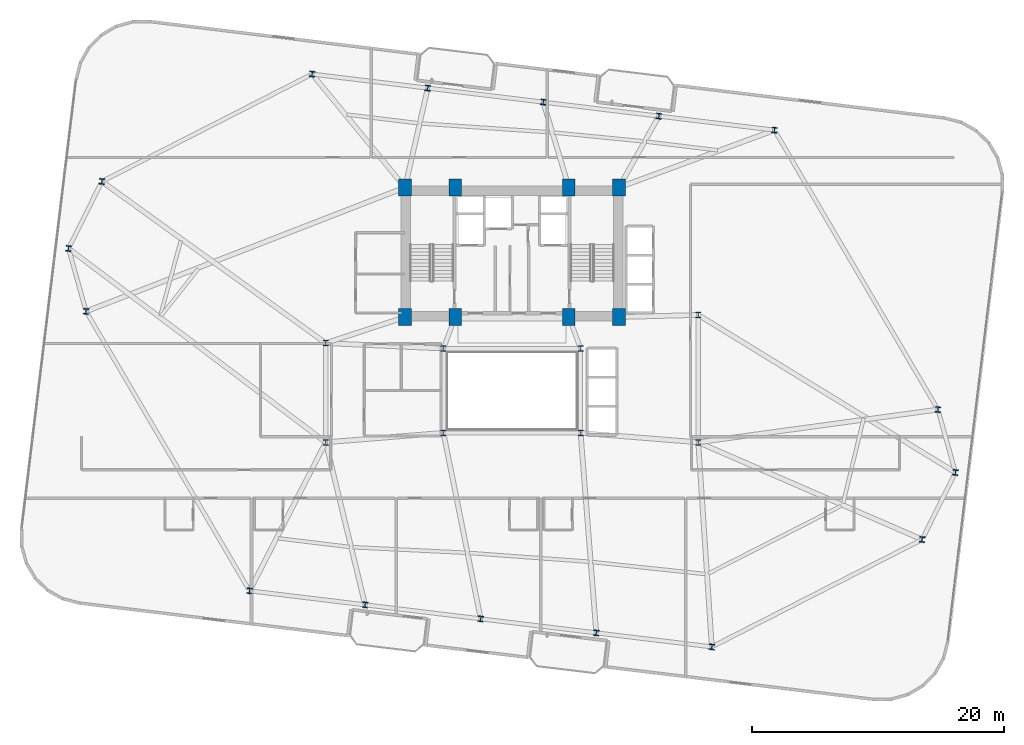
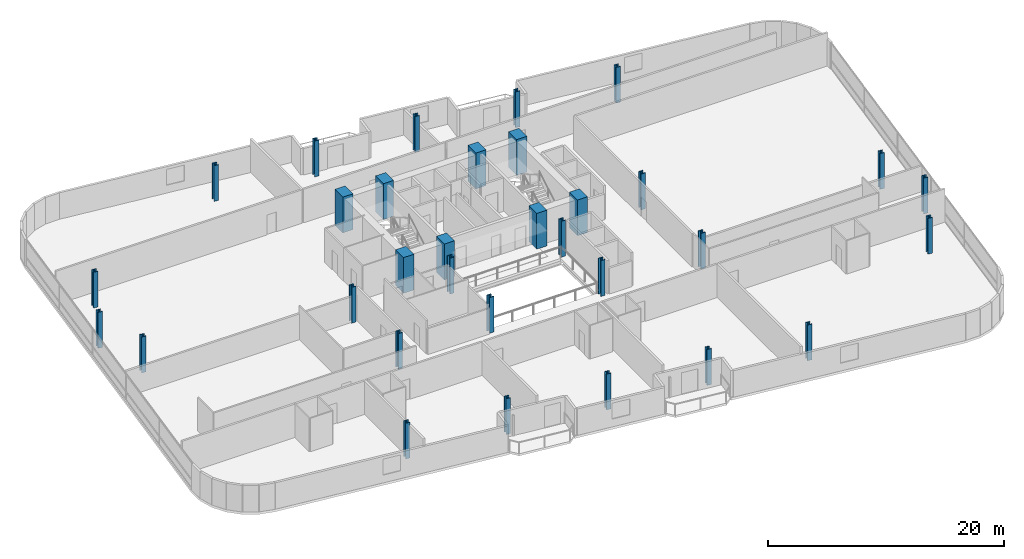
# One storey, part 1 of 25: 32 columns.
"""IFC4 building model written with IfcOpenShell, lengths in metres."""

from ifc_helpers import new_model, si_unit, direction, frame, origin, origin_2d, place, context, subcontext, project, spatial, rectangle, i_section, extrude, material, material_profile, profile_set, type_object, element, save


model = new_model("IFC4")

# Units and contexts
model_context = context("Model", 3, precision=1e-05, world=origin(), true_north=direction((0.0, 1.0)))
body_context = subcontext(model_context, "Body", "Model", "MODEL_VIEW")
ifc_project = project(units=[si_unit("LENGTHUNIT", "METRE"), si_unit("AREAUNIT", "SQUARE_METRE"), si_unit("VOLUMEUNIT", "CUBIC_METRE"), si_unit("PLANEANGLEUNIT", "RADIAN"), si_unit("MASSUNIT", "GRAM", prefix="KILO")], contexts=[model_context])

# Site, building, storey
site_placement = place(None, origin())
site = spatial("IfcSite", under=ifc_project, at=site_placement, CompositionType="ELEMENT")
building_placement = place(site_placement, origin())
building = spatial("IfcBuilding", under=site, at=building_placement, Name="Varnelok Gate Tower", CompositionType="ELEMENT")
storey_placement = place(building_placement, frame((0.0, 0.0, 140.199951171875)))
storey = spatial("IfcBuildingStorey", under=building, at=storey_placement, Name="L35", CompositionType="ELEMENT", Elevation=140.199951171875)

# Columns
ifc_material_1 = material(Name="Concrete C70/85", Category="concrete")
ifc_material_profile_1 = material_profile(ifc_material_1, rectangle(XDim=1.0, YDim=1.35009765625, at=origin_2d()), Name="RC1350X1000")
ifc_profile_set_1 = profile_set([ifc_material_profile_1], Name="Concrete C70/85")
column_type_1 = type_object("IfcColumnType", Name="COL-RC1350X1000", PredefinedType="COLUMN", material=ifc_profile_set_1)
for number, where, z_axis, x_axis, name in (
    (1, (30.699951171875, 28.75, 0.0), (0.0, 0.0, 1.0), (1.0, 0.0, 0.0), "L35 Core Spine Column SC1"),
    (2, (34.679931640625, 28.75, 0.0), (0.0, 0.0, 1.0), (1.0, 0.0, 0.0), "L35 Core Spine Column SC2"),
    (3, (43.719970703125, 28.75, 0.0), (0.0, 0.0, 1.0), (1.0, 0.0, 0.0), "L35 Core Spine Column SC3"),
    (4, (47.699951171875, 28.75, 0.0), (0.0, 0.0, 1.0), (1.0, 0.0, 0.0), "L35 Core Spine Column SC4"),
    (5, (30.699951171875, 39.050048828125, 0.0), (0.0, 0.0, 1.0), (1.0, 0.0, 0.0), "L35 Core Spine Column SC5"),
    (6, (34.679931640625, 39.050048828125, 0.0), (0.0, 0.0, 1.0), (1.0, 0.0, 0.0), "L35 Core Spine Column SC6"),
    (7, (43.719970703125, 39.050048828125, 0.0), (0.0, 0.0, 1.0), (1.0, 0.0, 0.0), "L35 Core Spine Column SC7"),
    (8, (47.699951171875, 39.050048828125, 0.0), (0.0, 0.0, 1.0), (1.0, 0.0, 0.0), "L35 Core Spine Column SC8"),
):
    element("IfcColumn", number, at=place(storey_placement, frame(where, z_axis=z_axis, x_axis=x_axis)), inside=storey, type_object=column_type_1, Name=name, PredefinedType="COLUMN", context=body_context, shape_type="SweptSolid", body=[
        extrude(rectangle(XDim=1.0, YDim=1.35009765625, at=origin_2d()), origin(), (0.0, 0.0, 1.0), 3.699951171875),
    ])
ifc_material_2 = material(Name="Structural Steel ASTM A992 Grade 50", Category="steel")
ifc_material_profile_2 = material_profile(ifc_material_2, i_section(OverallWidth=0.41796875, OverallDepth=0.455078125, WebThickness=0.0419921875, FlangeThickness=0.067626953125, FilletRadius=0.02490234375, at=origin_2d()), Name="W14X370")
ifc_profile_set_2 = profile_set([ifc_material_profile_2], Name="Structural Steel ASTM A992 Grade 50")
column_type_2 = type_object("IfcColumnType", Name="COL-W14X370", PredefinedType="COLUMN", material=ifc_profile_set_2)
for number, where, z_axis, x_axis, name in (
    (9, (18.345703125, 6.99658203125, 0.0), (0.0, 0.0, 1.0), (0.992732158755, -0.12034475881, 0.0), "L35 B3 Perimeter Column PC01"),
    (10, (27.528564453125, 5.883544921875, 0.0), (0.0, 0.0, 1.0), (0.992732158755, -0.12034475881, 0.0), "L35 B3 Perimeter Column PC02"),
    (11, (36.711181640625, 4.770263671875, 0.0), (0.0, 0.0, 1.0), (0.992732158755, -0.12034475881, 0.0), "L35 B3 Perimeter Column PC03"),
    (12, (45.89404296875, 3.656982421875, 0.0), (0.0, 0.0, 1.0), (0.992732158755, -0.12034475881, 0.0), "L35 B3 Perimeter Column PC04"),
    (13, (55.076904296875, 2.5439453125, 0.0), (0.0, 0.0, 1.0), (0.992732158755, -0.12034475881, 0.0), "L35 B3 Perimeter Column PC05"),
    (14, (71.79296875, 11.07421875, 0.0), (0.0, 0.0, 1.0), (0.992732158755, -0.12034475881, 0.0), "L35 B3 Perimeter Column PC06"),
    (15, (74.435546875, 16.40478515625, 0.0), (0.0, 0.0, 1.0), (0.992732158755, -0.12034475881, 0.0), "L35 B3 Perimeter Column PC07"),
    (16, (73.04443359375, 21.398681640625, 0.0), (0.0, 0.0, 1.0), (0.992732158755, -0.12034475881, 0.0), "L35 B3 Perimeter Column PC08"),
    (17, (60.05419921875, 43.603271484375, 0.0), (0.0, 0.0, 1.0), (0.992732158755, -0.12034475881, 0.0), "L35 B3 Perimeter Column PC09"),
    (18, (50.87158203125, 44.716552734375, 0.0), (0.0, 0.0, 1.0), (0.992732158755, -0.12034475881, 0.0), "L35 B3 Perimeter Column PC10"),
    (19, (41.688720703125, 45.82958984375, 0.0), (0.0, 0.0, 1.0), (0.992732158755, -0.12034475881, 0.0), "L35 B3 Perimeter Column PC11"),
    (20, (32.506103515625, 46.94287109375, 0.0), (0.0, 0.0, 1.0), (0.992732158755, -0.12034475881, 0.0), "L35 B3 Perimeter Column PC12"),
    (21, (23.3232421875, 48.05615234375, 0.0), (0.0, 0.0, 1.0), (0.992732158755, -0.12034475881, 0.0), "L35 B3 Perimeter Column PC13"),
    (22, (6.607177734375, 39.52587890625, 0.0), (0.0, 0.0, 1.0), (0.992732158755, -0.12034475881, 0.0), "L35 B3 Perimeter Column PC14"),
    (23, (3.96435546875, 34.195068359375, 0.0), (0.0, 0.0, 1.0), (0.992732158755, -0.12034475881, 0.0), "L35 B3 Perimeter Column PC15"),
    (24, (5.35546875, 29.201416015625, 0.0), (0.0, 0.0, 1.0), (0.992732158755, -0.12034475881, 0.0), "L35 B3 Perimeter Column PC16"),
):
    element("IfcColumn", number, at=place(storey_placement, frame(where, z_axis=z_axis, x_axis=x_axis)), inside=storey, type_object=column_type_2, Name=name, PredefinedType="COLUMN", context=body_context, shape_type="SweptSolid", body=[
        extrude(i_section(OverallWidth=0.41796875, OverallDepth=0.455078125, WebThickness=0.0419921875, FlangeThickness=0.067626953125, FilletRadius=0.02490234375, at=origin_2d()), origin(), (0.0, 0.0, 1.0), 3.699951171875),
    ])
ifc_material_profile_3 = material_profile(ifc_material_2, i_section(OverallWidth=0.424072265625, OverallDepth=0.47412109375, WebThickness=0.047607421875, FlangeThickness=0.0771484375, FilletRadius=0.02490234375, at=origin_2d()), Name="W14X426")
ifc_profile_set_3 = profile_set([ifc_material_profile_3], Name="Structural Steel ASTM A992 Grade 50")
column_type_3 = type_object("IfcColumnType", Name="COL-W14X426", PredefinedType="COLUMN", material=ifc_profile_set_3)
for number, where, z_axis, x_axis, name in (
    (25, (33.75, 19.550048828125, 0.0), (0.0, 0.0, 1.0), (1.0, 0.0, 0.0), "L35 Atrium Spine Column AC1"),
    (26, (44.64990234375, 19.550048828125, 0.0), (0.0, 0.0, 1.0), (1.0, 0.0, 0.0), "L35 Atrium Spine Column AC2"),
    (27, (33.75, 26.25, 0.0), (0.0, 0.0, 1.0), (1.0, 0.0, 0.0), "L35 Atrium Spine Column AC3"),
    (28, (44.64990234375, 26.25, 0.0), (0.0, 0.0, 1.0), (1.0, 0.0, 0.0), "L35 Atrium Spine Column AC4"),
    (29, (24.39990234375, 18.800048828125, 0.0), (0.0, 0.0, 1.0), (1.0, 0.0, 0.0), "L35 Wing Spine Column WS1"),
    (30, (24.39990234375, 26.679931640625, 0.0), (0.0, 0.0, 1.0), (1.0, 0.0, 0.0), "L35 Wing Spine Column WS2"),
    (31, (54.0, 18.800048828125, 0.0), (0.0, 0.0, 1.0), (1.0, 0.0, 0.0), "L35 Wing Spine Column ES1"),
    (32, (54.0, 28.919921875, 0.0), (0.0, 0.0, 1.0), (1.0, 0.0, 0.0), "L35 Wing Spine Column ES2"),
):
    element("IfcColumn", number, at=place(storey_placement, frame(where, z_axis=z_axis, x_axis=x_axis)), inside=storey, type_object=column_type_3, Name=name, PredefinedType="COLUMN", context=body_context, shape_type="SweptSolid", body=[
        extrude(i_section(OverallWidth=0.424072265625, OverallDepth=0.47412109375, WebThickness=0.047607421875, FlangeThickness=0.0771484375, FilletRadius=0.02490234375, at=origin_2d()), origin(), (0.0, 0.0, 1.0), 3.699951171875),
    ])

save(model, "model.ifc")
